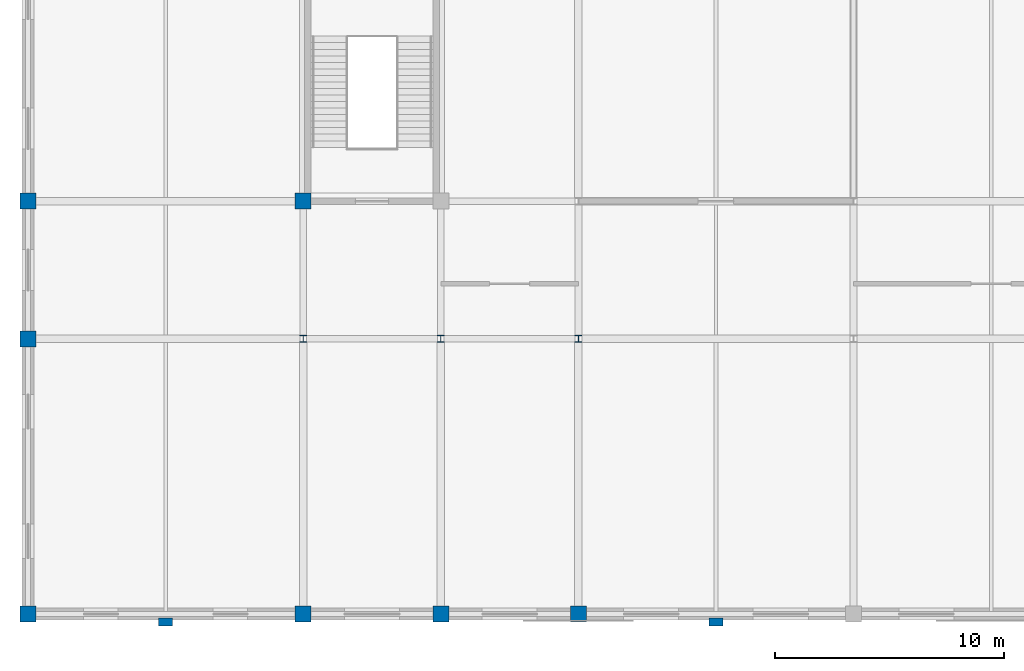
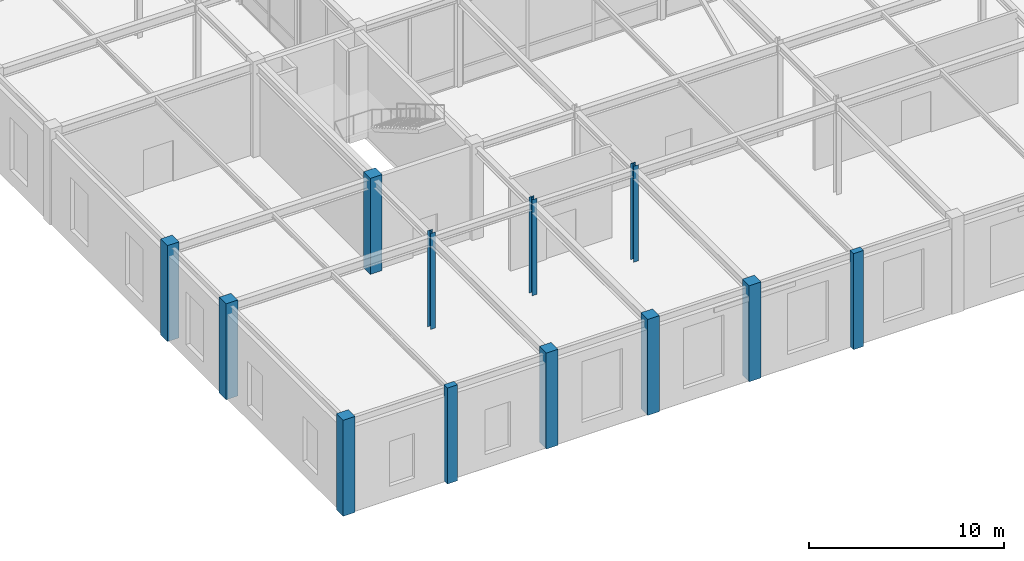
# One storey, part 1 of 108: 12 columns.
"""IFC4 building model written with IfcOpenShell, lengths in metres."""

from ifc_helpers import new_model, si_unit, direction, frame, origin, origin_2d, place, context, subcontext, project, spatial, rectangle, i_section, extrude, material, material_profile, profile_set, type_object, element, save


model = new_model("IFC4")

# Units and contexts
model_context = context("Model", 3, precision=1e-05, world=origin(), true_north=direction((0.0, 1.0)))
body_context = subcontext(model_context, "Body", "Model", "MODEL_VIEW")
ifc_project = project(units=[si_unit("LENGTHUNIT", "METRE"), si_unit("AREAUNIT", "SQUARE_METRE"), si_unit("VOLUMEUNIT", "CUBIC_METRE"), si_unit("PLANEANGLEUNIT", "RADIAN"), si_unit("MASSUNIT", "GRAM", prefix="KILO")], contexts=[model_context])

# Site, building, storey
site_placement = place(None, origin())
site = spatial("IfcSite", under=ifc_project, at=site_placement, CompositionType="ELEMENT")
building_placement = place(site_placement, origin())
building = spatial("IfcBuilding", under=site, at=building_placement, Name="Zlatovratsky Civic Hall", CompositionType="ELEMENT")
storey_placement = place(building_placement, frame((0.0, 0.0, 6.0)))
storey = spatial("IfcBuildingStorey", under=building, at=storey_placement, Name="L02", CompositionType="ELEMENT", Elevation=6.0)

# Columns
ifc_material_1 = material(Name="Concrete C35/45 (B40)", Category="concrete")
ifc_material_profile_1 = material_profile(ifc_material_1, rectangle(XDim=0.699951171875, YDim=0.699951171875, at=origin_2d()), Name="RC 700x700")
ifc_profile_set_1 = profile_set([ifc_material_profile_1], Name="Concrete C35/45 (B40)")
column_type_1 = type_object("IfcColumnType", Name="Col_CorePier_RC700", PredefinedType="COLUMN", material=ifc_profile_set_1)
for number, where, z_axis, x_axis, name in (
    (1, (0.0, 0.0, 0.0), (0.0, 0.0, 1.0), (1.0, 0.0, 0.0), "CL-0822"),
    (2, (12.0, 0.0, 0.0), (0.0, 0.0, 1.0), (1.0, 0.0, 0.0), "CL-0823"),
    (3, (18.0, 0.0, 0.0), (0.0, 0.0, 1.0), (1.0, 0.0, 0.0), "CL-0824"),
    (4, (24.0, 0.0, 0.0), (0.0, 0.0, 1.0), (1.0, 0.0, 0.0), "CL-0825"),
    (5, (0.0, 12.0, 0.0), (0.0, 0.0, 1.0), (1.0, 0.0, 0.0), "CL-0836"),
    (6, (0.0, 18.0, 0.0), (0.0, 0.0, 1.0), (1.0, 0.0, 0.0), "CL-0859"),
    (7, (12.0, 18.0, 0.0), (0.0, 0.0, 1.0), (1.0, 0.0, 0.0), "CL-0860"),
):
    element("IfcColumn", number, at=place(storey_placement, frame(where, z_axis=z_axis, x_axis=x_axis)), inside=storey, type_object=column_type_1, Name=name, PredefinedType="COLUMN", context=body_context, shape_type="SweptSolid", body=[
        extrude(rectangle(XDim=0.699951171875, YDim=0.699951171875, at=origin_2d()), origin(), (0.0, 0.0, 1.0), 6.0),
    ])
ifc_material_2 = material(Name="Steel S355", Category="steel")
ifc_material_profile_2 = material_profile(ifc_material_2, i_section(OverallWidth=0.300048828125, OverallDepth=0.300048828125, WebThickness=0.010009765625, FlangeThickness=0.014892578125, FilletRadius=0.01806640625, at=origin_2d()), Name="30K2")
ifc_profile_set_2 = profile_set([ifc_material_profile_2], Name="Steel S355")
column_type_2 = type_object("IfcColumnType", Name="Col_Steel_30K2", PredefinedType="COLUMN", material=ifc_profile_set_2)
for number, where, z_axis, x_axis, name in (
    (8, (12.0, 12.0, 0.0), (0.0, 0.0, 1.0), (1.0, 0.0, 0.0), "CL-0837"),
    (9, (18.0, 12.0, 0.0), (0.0, 0.0, 1.0), (1.0, 0.0, 0.0), "CL-0838"),
    (10, (24.0, 12.0, 0.0), (0.0, 0.0, 1.0), (1.0, 0.0, 0.0), "CL-0839"),
):
    element("IfcColumn", number, at=place(storey_placement, frame(where, z_axis=z_axis, x_axis=x_axis)), inside=storey, type_object=column_type_2, Name=name, PredefinedType="COLUMN", context=body_context, shape_type="SweptSolid", body=[
        extrude(i_section(OverallWidth=0.300048828125, OverallDepth=0.300048828125, WebThickness=0.010009765625, FlangeThickness=0.014892578125, FilletRadius=0.01806640625, at=origin_2d()), origin(), (0.0, 0.0, 1.0), 6.0),
    ])
ifc_material_profile_3 = material_profile(ifc_material_1, rectangle(XDim=0.60009765625, YDim=0.360107421875, at=origin_2d()), Name="RC 600x360")
ifc_profile_set_3 = profile_set([ifc_material_profile_3], Name="Concrete C35/45 (B40)")
column_type_3 = type_object("IfcColumnType", Name="Pilaster_Classical_RC600x360", PredefinedType="PILASTER", material=ifc_profile_set_3)
for number, where, z_axis, x_axis, name in (
    (11, (6.0, -0.35009765625, 0.0), (0.0, 0.0, 1.0), (1.0, 0.0, 0.0), "CL-2731"),
    (12, (30.0, -0.35009765625, 0.0), (0.0, 0.0, 1.0), (1.0, 0.0, 0.0), "CL-2732"),
):
    element("IfcColumn", number, at=place(storey_placement, frame(where, z_axis=z_axis, x_axis=x_axis)), inside=storey, type_object=column_type_3, Name=name, PredefinedType="PILASTER", context=body_context, shape_type="SweptSolid", body=[
        extrude(rectangle(XDim=0.60009765625, YDim=0.360107421875, at=origin_2d()), origin(), (0.0, 0.0, 1.0), 6.0),
    ])

save(model, "model.ifc")
